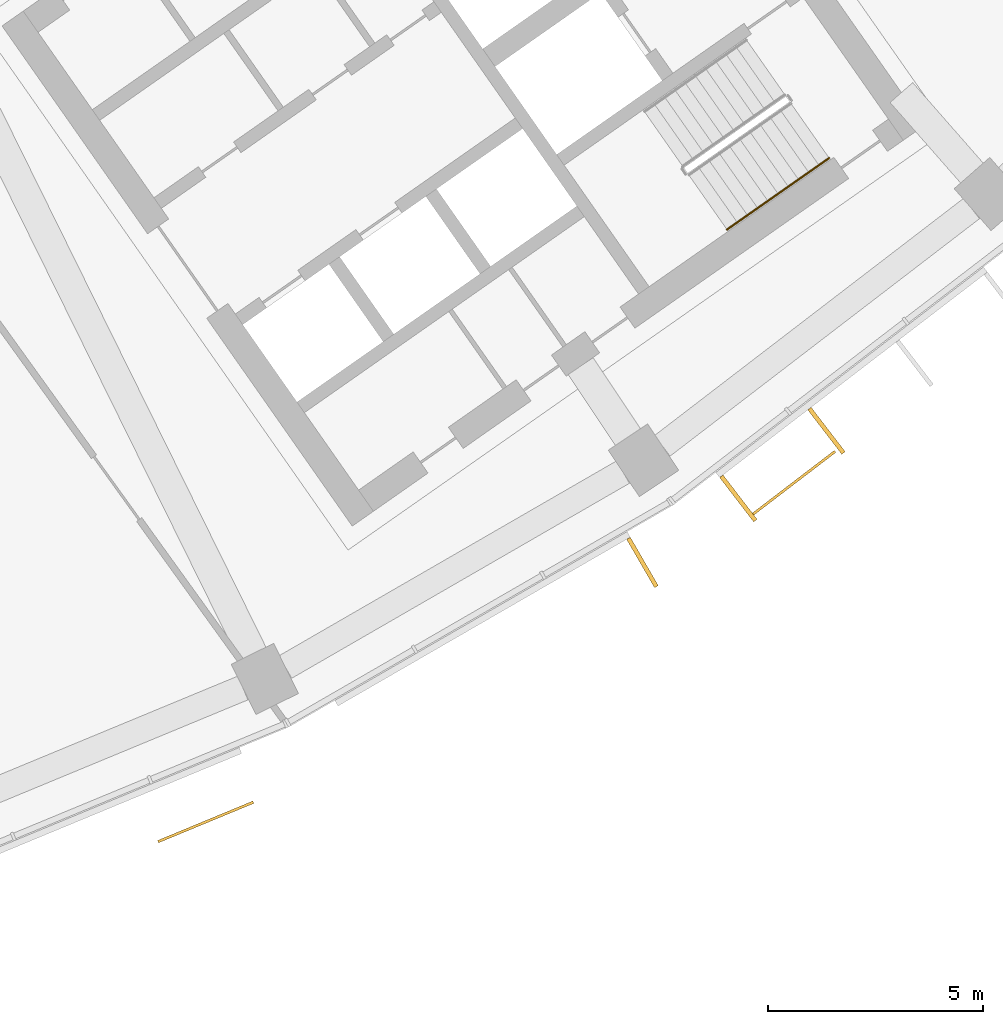
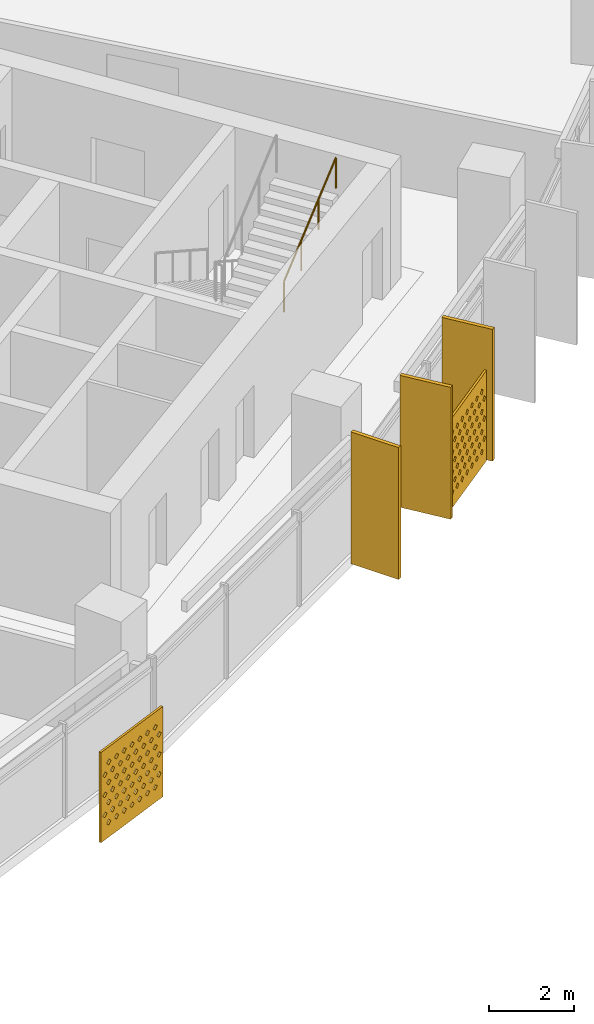
# One storey, part 25 of 27: 5 shading devices, 1 railing.
"""IFC4 building model written with IfcOpenShell, lengths in metres."""

from ifc_helpers import new_model, si_unit, direction, frame, origin, origin_2d, place, context, subcontext, project, spatial, polyline, rectangle, circle, outline, extrude, material, material_profile, profile_set, type_object, element, save


model = new_model("IFC4")

# Units and contexts
model_context = context("Model", 3, precision=1e-05, world=origin(), true_north=direction((0.0, 1.0)))
body_context = subcontext(model_context, "Body", "Model", "MODEL_VIEW")
ifc_project = project(units=[si_unit("LENGTHUNIT", "METRE"), si_unit("AREAUNIT", "SQUARE_METRE"), si_unit("VOLUMEUNIT", "CUBIC_METRE"), si_unit("PLANEANGLEUNIT", "RADIAN"), si_unit("MASSUNIT", "GRAM", prefix="KILO")], contexts=[model_context])

# Site, building, storey
site_placement = place(None, origin())
site = spatial("IfcSite", under=ifc_project, at=site_placement, CompositionType="ELEMENT")
building_placement = place(site_placement, origin())
building = spatial("IfcBuilding", under=site, at=building_placement, Name="Qamariyya Broadcast Tower", CompositionType="ELEMENT")
storey_placement = place(building_placement, frame((0.0, 0.0, 191.10009765625)))
storey = spatial("IfcBuildingStorey", under=building, at=storey_placement, Name="L45", CompositionType="ELEMENT", Elevation=191.10009765625)

# Shading devices
ifc_material_1 = material(Name="Perforated glazed terracotta", Category="masonry")
ifc_material_profile_1 = material_profile(ifc_material_1, outline(polyline([(-1.199951171875, -1.300048828125), (1.199951171875, -1.300048828125), (1.199951171875, 1.300048828125), (-1.199951171875, 1.300048828125), (-1.199951171875, -1.300048828125)]), holes=[polyline([(-0.81494140625, -0.86669921875), (-0.89990234375, -0.78173828125), (-0.985107421875, -0.86669921875), (-0.89990234375, -0.95166015625), (-0.81494140625, -0.86669921875)]), polyline([(-0.514892578125, -0.86669921875), (-0.60009765625, -0.78173828125), (-0.68505859375, -0.86669921875), (-0.60009765625, -0.95166015625), (-0.514892578125, -0.86669921875)]), polyline([(-0.215087890625, -0.86669921875), (-0.300048828125, -0.78173828125), (-0.385009765625, -0.86669921875), (-0.300048828125, -0.95166015625), (-0.215087890625, -0.86669921875)]), polyline([(0.0849609375, -0.86669921875), (0.0, -0.78173828125), (-0.0849609375, -0.86669921875), (0.0, -0.95166015625), (0.0849609375, -0.86669921875)]), polyline([(0.385009765625, -0.86669921875), (0.300048828125, -0.78173828125), (0.215087890625, -0.86669921875), (0.300048828125, -0.95166015625), (0.385009765625, -0.86669921875)]), polyline([(0.68505859375, -0.86669921875), (0.60009765625, -0.78173828125), (0.514892578125, -0.86669921875), (0.60009765625, -0.95166015625), (0.68505859375, -0.86669921875)]), polyline([(0.985107421875, -0.86669921875), (0.89990234375, -0.78173828125), (0.81494140625, -0.86669921875), (0.89990234375, -0.95166015625), (0.985107421875, -0.86669921875)]), polyline([(-0.965087890625, -0.577880859375), (-1.050048828125, -0.49267578125), (-1.135009765625, -0.577880859375), (-1.050048828125, -0.662841796875), (-0.965087890625, -0.577880859375)]), polyline([(-0.6650390625, -0.577880859375), (-0.75, -0.49267578125), (-0.8349609375, -0.577880859375), (-0.75, -0.662841796875), (-0.6650390625, -0.577880859375)]), polyline([(-0.364990234375, -0.577880859375), (-0.449951171875, -0.49267578125), (-0.534912109375, -0.577880859375), (-0.449951171875, -0.662841796875), (-0.364990234375, -0.577880859375)]), polyline([(-0.06494140625, -0.577880859375), (-0.14990234375, -0.49267578125), (-0.235107421875, -0.577880859375), (-0.14990234375, -0.662841796875), (-0.06494140625, -0.577880859375)]), polyline([(0.235107421875, -0.577880859375), (0.14990234375, -0.49267578125), (0.06494140625, -0.577880859375), (0.14990234375, -0.662841796875), (0.235107421875, -0.577880859375)]), polyline([(0.534912109375, -0.577880859375), (0.449951171875, -0.49267578125), (0.364990234375, -0.577880859375), (0.449951171875, -0.662841796875), (0.534912109375, -0.577880859375)]), polyline([(0.8349609375, -0.577880859375), (0.75, -0.49267578125), (0.6650390625, -0.577880859375), (0.75, -0.662841796875), (0.8349609375, -0.577880859375)]), polyline([(1.135009765625, -0.577880859375), (1.050048828125, -0.49267578125), (0.965087890625, -0.577880859375), (1.050048828125, -0.662841796875), (1.135009765625, -0.577880859375)]), polyline([(-0.81494140625, -0.288818359375), (-0.89990234375, -0.203857421875), (-0.985107421875, -0.288818359375), (-0.89990234375, -0.373779296875), (-0.81494140625, -0.288818359375)]), polyline([(-0.514892578125, -0.288818359375), (-0.60009765625, -0.203857421875), (-0.68505859375, -0.288818359375), (-0.60009765625, -0.373779296875), (-0.514892578125, -0.288818359375)]), polyline([(-0.215087890625, -0.288818359375), (-0.300048828125, -0.203857421875), (-0.385009765625, -0.288818359375), (-0.300048828125, -0.373779296875), (-0.215087890625, -0.288818359375)]), polyline([(0.0849609375, -0.288818359375), (0.0, -0.203857421875), (-0.0849609375, -0.288818359375), (0.0, -0.373779296875), (0.0849609375, -0.288818359375)]), polyline([(0.385009765625, -0.288818359375), (0.300048828125, -0.203857421875), (0.215087890625, -0.288818359375), (0.300048828125, -0.373779296875), (0.385009765625, -0.288818359375)]), polyline([(0.68505859375, -0.288818359375), (0.60009765625, -0.203857421875), (0.514892578125, -0.288818359375), (0.60009765625, -0.373779296875), (0.68505859375, -0.288818359375)]), polyline([(0.985107421875, -0.288818359375), (0.89990234375, -0.203857421875), (0.81494140625, -0.288818359375), (0.89990234375, -0.373779296875), (0.985107421875, -0.288818359375)]), polyline([(-0.965087890625, 0.0), (-1.050048828125, 0.0849609375), (-1.135009765625, 0.0), (-1.050048828125, -0.0849609375), (-0.965087890625, 0.0)]), polyline([(-0.6650390625, 0.0), (-0.75, 0.0849609375), (-0.8349609375, 0.0), (-0.75, -0.0849609375), (-0.6650390625, 0.0)]), polyline([(-0.364990234375, 0.0), (-0.449951171875, 0.0849609375), (-0.534912109375, 0.0), (-0.449951171875, -0.0849609375), (-0.364990234375, 0.0)]), polyline([(-0.06494140625, 0.0), (-0.14990234375, 0.0849609375), (-0.235107421875, 0.0), (-0.14990234375, -0.0849609375), (-0.06494140625, 0.0)]), polyline([(0.235107421875, 0.0), (0.14990234375, 0.0849609375), (0.06494140625, 0.0), (0.14990234375, -0.0849609375), (0.235107421875, 0.0)]), polyline([(0.534912109375, 0.0), (0.449951171875, 0.0849609375), (0.364990234375, 0.0), (0.449951171875, -0.0849609375), (0.534912109375, 0.0)]), polyline([(0.8349609375, 0.0), (0.75, 0.0849609375), (0.6650390625, 0.0), (0.75, -0.0849609375), (0.8349609375, 0.0)]), polyline([(1.135009765625, 0.0), (1.050048828125, 0.0849609375), (0.965087890625, 0.0), (1.050048828125, -0.0849609375), (1.135009765625, 0.0)]), polyline([(-0.81494140625, 0.288818359375), (-0.89990234375, 0.373779296875), (-0.985107421875, 0.288818359375), (-0.89990234375, 0.203857421875), (-0.81494140625, 0.288818359375)]), polyline([(-0.514892578125, 0.288818359375), (-0.60009765625, 0.373779296875), (-0.68505859375, 0.288818359375), (-0.60009765625, 0.203857421875), (-0.514892578125, 0.288818359375)]), polyline([(-0.215087890625, 0.288818359375), (-0.300048828125, 0.373779296875), (-0.385009765625, 0.288818359375), (-0.300048828125, 0.203857421875), (-0.215087890625, 0.288818359375)]), polyline([(0.0849609375, 0.288818359375), (0.0, 0.373779296875), (-0.0849609375, 0.288818359375), (0.0, 0.203857421875), (0.0849609375, 0.288818359375)]), polyline([(0.385009765625, 0.288818359375), (0.300048828125, 0.373779296875), (0.215087890625, 0.288818359375), (0.300048828125, 0.203857421875), (0.385009765625, 0.288818359375)]), polyline([(0.68505859375, 0.288818359375), (0.60009765625, 0.373779296875), (0.514892578125, 0.288818359375), (0.60009765625, 0.203857421875), (0.68505859375, 0.288818359375)]), polyline([(0.985107421875, 0.288818359375), (0.89990234375, 0.373779296875), (0.81494140625, 0.288818359375), (0.89990234375, 0.203857421875), (0.985107421875, 0.288818359375)]), polyline([(-0.965087890625, 0.577880859375), (-1.050048828125, 0.662841796875), (-1.135009765625, 0.577880859375), (-1.050048828125, 0.49267578125), (-0.965087890625, 0.577880859375)]), polyline([(-0.6650390625, 0.577880859375), (-0.75, 0.662841796875), (-0.8349609375, 0.577880859375), (-0.75, 0.49267578125), (-0.6650390625, 0.577880859375)]), polyline([(-0.364990234375, 0.577880859375), (-0.449951171875, 0.662841796875), (-0.534912109375, 0.577880859375), (-0.449951171875, 0.49267578125), (-0.364990234375, 0.577880859375)]), polyline([(-0.06494140625, 0.577880859375), (-0.14990234375, 0.662841796875), (-0.235107421875, 0.577880859375), (-0.14990234375, 0.49267578125), (-0.06494140625, 0.577880859375)]), polyline([(0.235107421875, 0.577880859375), (0.14990234375, 0.662841796875), (0.06494140625, 0.577880859375), (0.14990234375, 0.49267578125), (0.235107421875, 0.577880859375)]), polyline([(0.534912109375, 0.577880859375), (0.449951171875, 0.662841796875), (0.364990234375, 0.577880859375), (0.449951171875, 0.49267578125), (0.534912109375, 0.577880859375)]), polyline([(0.8349609375, 0.577880859375), (0.75, 0.662841796875), (0.6650390625, 0.577880859375), (0.75, 0.49267578125), (0.8349609375, 0.577880859375)]), polyline([(1.135009765625, 0.577880859375), (1.050048828125, 0.662841796875), (0.965087890625, 0.577880859375), (1.050048828125, 0.49267578125), (1.135009765625, 0.577880859375)]), polyline([(-0.81494140625, 0.86669921875), (-0.89990234375, 0.95166015625), (-0.985107421875, 0.86669921875), (-0.89990234375, 0.78173828125), (-0.81494140625, 0.86669921875)]), polyline([(-0.514892578125, 0.86669921875), (-0.60009765625, 0.95166015625), (-0.68505859375, 0.86669921875), (-0.60009765625, 0.78173828125), (-0.514892578125, 0.86669921875)]), polyline([(-0.215087890625, 0.86669921875), (-0.300048828125, 0.95166015625), (-0.385009765625, 0.86669921875), (-0.300048828125, 0.78173828125), (-0.215087890625, 0.86669921875)]), polyline([(0.0849609375, 0.86669921875), (0.0, 0.95166015625), (-0.0849609375, 0.86669921875), (0.0, 0.78173828125), (0.0849609375, 0.86669921875)]), polyline([(0.385009765625, 0.86669921875), (0.300048828125, 0.95166015625), (0.215087890625, 0.86669921875), (0.300048828125, 0.78173828125), (0.385009765625, 0.86669921875)]), polyline([(0.68505859375, 0.86669921875), (0.60009765625, 0.95166015625), (0.514892578125, 0.86669921875), (0.60009765625, 0.78173828125), (0.68505859375, 0.86669921875)]), polyline([(0.985107421875, 0.86669921875), (0.89990234375, 0.95166015625), (0.81494140625, 0.86669921875), (0.89990234375, 0.78173828125), (0.985107421875, 0.86669921875)])]))
ifc_profile_set_1 = profile_set([ifc_material_profile_1], Name="Perforated glazed terracotta")
shading_device_type_1 = type_object("IfcShadingDeviceType", Name="Perforated terracotta screen 2400 x 2600", PredefinedType="USERDEFINED", material=ifc_profile_set_1)
shading_device_1_placement = place(storey_placement, frame((33.00146484375, -73.03076171875, 1.349853515625), z_axis=(0.382591441855, -0.923917630863, 0.0), x_axis=(0.923917630863, 0.382591441855, 0.0)))
element("IfcShadingDevice", 1, at=shading_device_1_placement, inside=storey, type_object=shading_device_type_1, Name="e-scr-L45-10-2", ObjectType="SCREEN", PredefinedType="USERDEFINED", context=body_context, shape_type="SweptSolid", body=[
    extrude(outline(polyline([(-1.199951171875, -1.300048828125), (1.199951171875, -1.300048828125), (1.199951171875, 1.300048828125), (-1.199951171875, 1.300048828125), (-1.199951171875, -1.300048828125)]), holes=[polyline([(-0.81494140625, -0.86669921875), (-0.89990234375, -0.78173828125), (-0.985107421875, -0.86669921875), (-0.89990234375, -0.95166015625), (-0.81494140625, -0.86669921875)]), polyline([(-0.514892578125, -0.86669921875), (-0.60009765625, -0.78173828125), (-0.68505859375, -0.86669921875), (-0.60009765625, -0.95166015625), (-0.514892578125, -0.86669921875)]), polyline([(-0.215087890625, -0.86669921875), (-0.300048828125, -0.78173828125), (-0.385009765625, -0.86669921875), (-0.300048828125, -0.95166015625), (-0.215087890625, -0.86669921875)]), polyline([(0.0849609375, -0.86669921875), (0.0, -0.78173828125), (-0.0849609375, -0.86669921875), (0.0, -0.95166015625), (0.0849609375, -0.86669921875)]), polyline([(0.385009765625, -0.86669921875), (0.300048828125, -0.78173828125), (0.215087890625, -0.86669921875), (0.300048828125, -0.95166015625), (0.385009765625, -0.86669921875)]), polyline([(0.68505859375, -0.86669921875), (0.60009765625, -0.78173828125), (0.514892578125, -0.86669921875), (0.60009765625, -0.95166015625), (0.68505859375, -0.86669921875)]), polyline([(0.985107421875, -0.86669921875), (0.89990234375, -0.78173828125), (0.81494140625, -0.86669921875), (0.89990234375, -0.95166015625), (0.985107421875, -0.86669921875)]), polyline([(-0.965087890625, -0.577880859375), (-1.050048828125, -0.49267578125), (-1.135009765625, -0.577880859375), (-1.050048828125, -0.662841796875), (-0.965087890625, -0.577880859375)]), polyline([(-0.6650390625, -0.577880859375), (-0.75, -0.49267578125), (-0.8349609375, -0.577880859375), (-0.75, -0.662841796875), (-0.6650390625, -0.577880859375)]), polyline([(-0.364990234375, -0.577880859375), (-0.449951171875, -0.49267578125), (-0.534912109375, -0.577880859375), (-0.449951171875, -0.662841796875), (-0.364990234375, -0.577880859375)]), polyline([(-0.06494140625, -0.577880859375), (-0.14990234375, -0.49267578125), (-0.235107421875, -0.577880859375), (-0.14990234375, -0.662841796875), (-0.06494140625, -0.577880859375)]), polyline([(0.235107421875, -0.577880859375), (0.14990234375, -0.49267578125), (0.06494140625, -0.577880859375), (0.14990234375, -0.662841796875), (0.235107421875, -0.577880859375)]), polyline([(0.534912109375, -0.577880859375), (0.449951171875, -0.49267578125), (0.364990234375, -0.577880859375), (0.449951171875, -0.662841796875), (0.534912109375, -0.577880859375)]), polyline([(0.8349609375, -0.577880859375), (0.75, -0.49267578125), (0.6650390625, -0.577880859375), (0.75, -0.662841796875), (0.8349609375, -0.577880859375)]), polyline([(1.135009765625, -0.577880859375), (1.050048828125, -0.49267578125), (0.965087890625, -0.577880859375), (1.050048828125, -0.662841796875), (1.135009765625, -0.577880859375)]), polyline([(-0.81494140625, -0.288818359375), (-0.89990234375, -0.203857421875), (-0.985107421875, -0.288818359375), (-0.89990234375, -0.373779296875), (-0.81494140625, -0.288818359375)]), polyline([(-0.514892578125, -0.288818359375), (-0.60009765625, -0.203857421875), (-0.68505859375, -0.288818359375), (-0.60009765625, -0.373779296875), (-0.514892578125, -0.288818359375)]), polyline([(-0.215087890625, -0.288818359375), (-0.300048828125, -0.203857421875), (-0.385009765625, -0.288818359375), (-0.300048828125, -0.373779296875), (-0.215087890625, -0.288818359375)]), polyline([(0.0849609375, -0.288818359375), (0.0, -0.203857421875), (-0.0849609375, -0.288818359375), (0.0, -0.373779296875), (0.0849609375, -0.288818359375)]), polyline([(0.385009765625, -0.288818359375), (0.300048828125, -0.203857421875), (0.215087890625, -0.288818359375), (0.300048828125, -0.373779296875), (0.385009765625, -0.288818359375)]), polyline([(0.68505859375, -0.288818359375), (0.60009765625, -0.203857421875), (0.514892578125, -0.288818359375), (0.60009765625, -0.373779296875), (0.68505859375, -0.288818359375)]), polyline([(0.985107421875, -0.288818359375), (0.89990234375, -0.203857421875), (0.81494140625, -0.288818359375), (0.89990234375, -0.373779296875), (0.985107421875, -0.288818359375)]), polyline([(-0.965087890625, 0.0), (-1.050048828125, 0.0849609375), (-1.135009765625, 0.0), (-1.050048828125, -0.0849609375), (-0.965087890625, 0.0)]), polyline([(-0.6650390625, 0.0), (-0.75, 0.0849609375), (-0.8349609375, 0.0), (-0.75, -0.0849609375), (-0.6650390625, 0.0)]), polyline([(-0.364990234375, 0.0), (-0.449951171875, 0.0849609375), (-0.534912109375, 0.0), (-0.449951171875, -0.0849609375), (-0.364990234375, 0.0)]), polyline([(-0.06494140625, 0.0), (-0.14990234375, 0.0849609375), (-0.235107421875, 0.0), (-0.14990234375, -0.0849609375), (-0.06494140625, 0.0)]), polyline([(0.235107421875, 0.0), (0.14990234375, 0.0849609375), (0.06494140625, 0.0), (0.14990234375, -0.0849609375), (0.235107421875, 0.0)]), polyline([(0.534912109375, 0.0), (0.449951171875, 0.0849609375), (0.364990234375, 0.0), (0.449951171875, -0.0849609375), (0.534912109375, 0.0)]), polyline([(0.8349609375, 0.0), (0.75, 0.0849609375), (0.6650390625, 0.0), (0.75, -0.0849609375), (0.8349609375, 0.0)]), polyline([(1.135009765625, 0.0), (1.050048828125, 0.0849609375), (0.965087890625, 0.0), (1.050048828125, -0.0849609375), (1.135009765625, 0.0)]), polyline([(-0.81494140625, 0.288818359375), (-0.89990234375, 0.373779296875), (-0.985107421875, 0.288818359375), (-0.89990234375, 0.203857421875), (-0.81494140625, 0.288818359375)]), polyline([(-0.514892578125, 0.288818359375), (-0.60009765625, 0.373779296875), (-0.68505859375, 0.288818359375), (-0.60009765625, 0.203857421875), (-0.514892578125, 0.288818359375)]), polyline([(-0.215087890625, 0.288818359375), (-0.300048828125, 0.373779296875), (-0.385009765625, 0.288818359375), (-0.300048828125, 0.203857421875), (-0.215087890625, 0.288818359375)]), polyline([(0.0849609375, 0.288818359375), (0.0, 0.373779296875), (-0.0849609375, 0.288818359375), (0.0, 0.203857421875), (0.0849609375, 0.288818359375)]), polyline([(0.385009765625, 0.288818359375), (0.300048828125, 0.373779296875), (0.215087890625, 0.288818359375), (0.300048828125, 0.203857421875), (0.385009765625, 0.288818359375)]), polyline([(0.68505859375, 0.288818359375), (0.60009765625, 0.373779296875), (0.514892578125, 0.288818359375), (0.60009765625, 0.203857421875), (0.68505859375, 0.288818359375)]), polyline([(0.985107421875, 0.288818359375), (0.89990234375, 0.373779296875), (0.81494140625, 0.288818359375), (0.89990234375, 0.203857421875), (0.985107421875, 0.288818359375)]), polyline([(-0.965087890625, 0.577880859375), (-1.050048828125, 0.662841796875), (-1.135009765625, 0.577880859375), (-1.050048828125, 0.49267578125), (-0.965087890625, 0.577880859375)]), polyline([(-0.6650390625, 0.577880859375), (-0.75, 0.662841796875), (-0.8349609375, 0.577880859375), (-0.75, 0.49267578125), (-0.6650390625, 0.577880859375)]), polyline([(-0.364990234375, 0.577880859375), (-0.449951171875, 0.662841796875), (-0.534912109375, 0.577880859375), (-0.449951171875, 0.49267578125), (-0.364990234375, 0.577880859375)]), polyline([(-0.06494140625, 0.577880859375), (-0.14990234375, 0.662841796875), (-0.235107421875, 0.577880859375), (-0.14990234375, 0.49267578125), (-0.06494140625, 0.577880859375)]), polyline([(0.235107421875, 0.577880859375), (0.14990234375, 0.662841796875), (0.06494140625, 0.577880859375), (0.14990234375, 0.49267578125), (0.235107421875, 0.577880859375)]), polyline([(0.534912109375, 0.577880859375), (0.449951171875, 0.662841796875), (0.364990234375, 0.577880859375), (0.449951171875, 0.49267578125), (0.534912109375, 0.577880859375)]), polyline([(0.8349609375, 0.577880859375), (0.75, 0.662841796875), (0.6650390625, 0.577880859375), (0.75, 0.49267578125), (0.8349609375, 0.577880859375)]), polyline([(1.135009765625, 0.577880859375), (1.050048828125, 0.662841796875), (0.965087890625, 0.577880859375), (1.050048828125, 0.49267578125), (1.135009765625, 0.577880859375)]), polyline([(-0.81494140625, 0.86669921875), (-0.89990234375, 0.95166015625), (-0.985107421875, 0.86669921875), (-0.89990234375, 0.78173828125), (-0.81494140625, 0.86669921875)]), polyline([(-0.514892578125, 0.86669921875), (-0.60009765625, 0.95166015625), (-0.68505859375, 0.86669921875), (-0.60009765625, 0.78173828125), (-0.514892578125, 0.86669921875)]), polyline([(-0.215087890625, 0.86669921875), (-0.300048828125, 0.95166015625), (-0.385009765625, 0.86669921875), (-0.300048828125, 0.78173828125), (-0.215087890625, 0.86669921875)]), polyline([(0.0849609375, 0.86669921875), (0.0, 0.95166015625), (-0.0849609375, 0.86669921875), (0.0, 0.78173828125), (0.0849609375, 0.86669921875)]), polyline([(0.385009765625, 0.86669921875), (0.300048828125, 0.95166015625), (0.215087890625, 0.86669921875), (0.300048828125, 0.78173828125), (0.385009765625, 0.86669921875)]), polyline([(0.68505859375, 0.86669921875), (0.60009765625, 0.95166015625), (0.514892578125, 0.86669921875), (0.60009765625, 0.78173828125), (0.68505859375, 0.86669921875)]), polyline([(0.985107421875, 0.86669921875), (0.89990234375, 0.95166015625), (0.81494140625, 0.86669921875), (0.89990234375, 0.78173828125), (0.985107421875, 0.86669921875)])]), origin(), (0.0, 0.0, 1.0), 0.06005859375),
])
shading_device_2_placement = place(storey_placement, frame((46.6796875, -65.146240234375, 1.349853515625), z_axis=(0.607147566278, -0.794589096806, 0.0), x_axis=(0.794589096806, 0.607147566278, 0.0)))
element("IfcShadingDevice", 2, at=shading_device_2_placement, inside=storey, type_object=shading_device_type_1, Name="e-scr-L45-12-0", ObjectType="SCREEN", PredefinedType="USERDEFINED", context=body_context, shape_type="SweptSolid", body=[
    extrude(outline(polyline([(-1.199951171875, -1.300048828125), (1.199951171875, -1.300048828125), (1.199951171875, 1.300048828125), (-1.199951171875, 1.300048828125), (-1.199951171875, -1.300048828125)]), holes=[polyline([(-0.81494140625, -0.86669921875), (-0.89990234375, -0.78173828125), (-0.985107421875, -0.86669921875), (-0.89990234375, -0.95166015625), (-0.81494140625, -0.86669921875)]), polyline([(-0.514892578125, -0.86669921875), (-0.60009765625, -0.78173828125), (-0.68505859375, -0.86669921875), (-0.60009765625, -0.95166015625), (-0.514892578125, -0.86669921875)]), polyline([(-0.215087890625, -0.86669921875), (-0.300048828125, -0.78173828125), (-0.385009765625, -0.86669921875), (-0.300048828125, -0.95166015625), (-0.215087890625, -0.86669921875)]), polyline([(0.0849609375, -0.86669921875), (0.0, -0.78173828125), (-0.0849609375, -0.86669921875), (0.0, -0.95166015625), (0.0849609375, -0.86669921875)]), polyline([(0.385009765625, -0.86669921875), (0.300048828125, -0.78173828125), (0.215087890625, -0.86669921875), (0.300048828125, -0.95166015625), (0.385009765625, -0.86669921875)]), polyline([(0.68505859375, -0.86669921875), (0.60009765625, -0.78173828125), (0.514892578125, -0.86669921875), (0.60009765625, -0.95166015625), (0.68505859375, -0.86669921875)]), polyline([(0.985107421875, -0.86669921875), (0.89990234375, -0.78173828125), (0.81494140625, -0.86669921875), (0.89990234375, -0.95166015625), (0.985107421875, -0.86669921875)]), polyline([(-0.965087890625, -0.577880859375), (-1.050048828125, -0.49267578125), (-1.135009765625, -0.577880859375), (-1.050048828125, -0.662841796875), (-0.965087890625, -0.577880859375)]), polyline([(-0.6650390625, -0.577880859375), (-0.75, -0.49267578125), (-0.8349609375, -0.577880859375), (-0.75, -0.662841796875), (-0.6650390625, -0.577880859375)]), polyline([(-0.364990234375, -0.577880859375), (-0.449951171875, -0.49267578125), (-0.534912109375, -0.577880859375), (-0.449951171875, -0.662841796875), (-0.364990234375, -0.577880859375)]), polyline([(-0.06494140625, -0.577880859375), (-0.14990234375, -0.49267578125), (-0.235107421875, -0.577880859375), (-0.14990234375, -0.662841796875), (-0.06494140625, -0.577880859375)]), polyline([(0.235107421875, -0.577880859375), (0.14990234375, -0.49267578125), (0.06494140625, -0.577880859375), (0.14990234375, -0.662841796875), (0.235107421875, -0.577880859375)]), polyline([(0.534912109375, -0.577880859375), (0.449951171875, -0.49267578125), (0.364990234375, -0.577880859375), (0.449951171875, -0.662841796875), (0.534912109375, -0.577880859375)]), polyline([(0.8349609375, -0.577880859375), (0.75, -0.49267578125), (0.6650390625, -0.577880859375), (0.75, -0.662841796875), (0.8349609375, -0.577880859375)]), polyline([(1.135009765625, -0.577880859375), (1.050048828125, -0.49267578125), (0.965087890625, -0.577880859375), (1.050048828125, -0.662841796875), (1.135009765625, -0.577880859375)]), polyline([(-0.81494140625, -0.288818359375), (-0.89990234375, -0.203857421875), (-0.985107421875, -0.288818359375), (-0.89990234375, -0.373779296875), (-0.81494140625, -0.288818359375)]), polyline([(-0.514892578125, -0.288818359375), (-0.60009765625, -0.203857421875), (-0.68505859375, -0.288818359375), (-0.60009765625, -0.373779296875), (-0.514892578125, -0.288818359375)]), polyline([(-0.215087890625, -0.288818359375), (-0.300048828125, -0.203857421875), (-0.385009765625, -0.288818359375), (-0.300048828125, -0.373779296875), (-0.215087890625, -0.288818359375)]), polyline([(0.0849609375, -0.288818359375), (0.0, -0.203857421875), (-0.0849609375, -0.288818359375), (0.0, -0.373779296875), (0.0849609375, -0.288818359375)]), polyline([(0.385009765625, -0.288818359375), (0.300048828125, -0.203857421875), (0.215087890625, -0.288818359375), (0.300048828125, -0.373779296875), (0.385009765625, -0.288818359375)]), polyline([(0.68505859375, -0.288818359375), (0.60009765625, -0.203857421875), (0.514892578125, -0.288818359375), (0.60009765625, -0.373779296875), (0.68505859375, -0.288818359375)]), polyline([(0.985107421875, -0.288818359375), (0.89990234375, -0.203857421875), (0.81494140625, -0.288818359375), (0.89990234375, -0.373779296875), (0.985107421875, -0.288818359375)]), polyline([(-0.965087890625, 0.0), (-1.050048828125, 0.0849609375), (-1.135009765625, 0.0), (-1.050048828125, -0.0849609375), (-0.965087890625, 0.0)]), polyline([(-0.6650390625, 0.0), (-0.75, 0.0849609375), (-0.8349609375, 0.0), (-0.75, -0.0849609375), (-0.6650390625, 0.0)]), polyline([(-0.364990234375, 0.0), (-0.449951171875, 0.0849609375), (-0.534912109375, 0.0), (-0.449951171875, -0.0849609375), (-0.364990234375, 0.0)]), polyline([(-0.06494140625, 0.0), (-0.14990234375, 0.0849609375), (-0.235107421875, 0.0), (-0.14990234375, -0.0849609375), (-0.06494140625, 0.0)]), polyline([(0.235107421875, 0.0), (0.14990234375, 0.0849609375), (0.06494140625, 0.0), (0.14990234375, -0.0849609375), (0.235107421875, 0.0)]), polyline([(0.534912109375, 0.0), (0.449951171875, 0.0849609375), (0.364990234375, 0.0), (0.449951171875, -0.0849609375), (0.534912109375, 0.0)]), polyline([(0.8349609375, 0.0), (0.75, 0.0849609375), (0.6650390625, 0.0), (0.75, -0.0849609375), (0.8349609375, 0.0)]), polyline([(1.135009765625, 0.0), (1.050048828125, 0.0849609375), (0.965087890625, 0.0), (1.050048828125, -0.0849609375), (1.135009765625, 0.0)]), polyline([(-0.81494140625, 0.288818359375), (-0.89990234375, 0.373779296875), (-0.985107421875, 0.288818359375), (-0.89990234375, 0.203857421875), (-0.81494140625, 0.288818359375)]), polyline([(-0.514892578125, 0.288818359375), (-0.60009765625, 0.373779296875), (-0.68505859375, 0.288818359375), (-0.60009765625, 0.203857421875), (-0.514892578125, 0.288818359375)]), polyline([(-0.215087890625, 0.288818359375), (-0.300048828125, 0.373779296875), (-0.385009765625, 0.288818359375), (-0.300048828125, 0.203857421875), (-0.215087890625, 0.288818359375)]), polyline([(0.0849609375, 0.288818359375), (0.0, 0.373779296875), (-0.0849609375, 0.288818359375), (0.0, 0.203857421875), (0.0849609375, 0.288818359375)]), polyline([(0.385009765625, 0.288818359375), (0.300048828125, 0.373779296875), (0.215087890625, 0.288818359375), (0.300048828125, 0.203857421875), (0.385009765625, 0.288818359375)]), polyline([(0.68505859375, 0.288818359375), (0.60009765625, 0.373779296875), (0.514892578125, 0.288818359375), (0.60009765625, 0.203857421875), (0.68505859375, 0.288818359375)]), polyline([(0.985107421875, 0.288818359375), (0.89990234375, 0.373779296875), (0.81494140625, 0.288818359375), (0.89990234375, 0.203857421875), (0.985107421875, 0.288818359375)]), polyline([(-0.965087890625, 0.577880859375), (-1.050048828125, 0.662841796875), (-1.135009765625, 0.577880859375), (-1.050048828125, 0.49267578125), (-0.965087890625, 0.577880859375)]), polyline([(-0.6650390625, 0.577880859375), (-0.75, 0.662841796875), (-0.8349609375, 0.577880859375), (-0.75, 0.49267578125), (-0.6650390625, 0.577880859375)]), polyline([(-0.364990234375, 0.577880859375), (-0.449951171875, 0.662841796875), (-0.534912109375, 0.577880859375), (-0.449951171875, 0.49267578125), (-0.364990234375, 0.577880859375)]), polyline([(-0.06494140625, 0.577880859375), (-0.14990234375, 0.662841796875), (-0.235107421875, 0.577880859375), (-0.14990234375, 0.49267578125), (-0.06494140625, 0.577880859375)]), polyline([(0.235107421875, 0.577880859375), (0.14990234375, 0.662841796875), (0.06494140625, 0.577880859375), (0.14990234375, 0.49267578125), (0.235107421875, 0.577880859375)]), polyline([(0.534912109375, 0.577880859375), (0.449951171875, 0.662841796875), (0.364990234375, 0.577880859375), (0.449951171875, 0.49267578125), (0.534912109375, 0.577880859375)]), polyline([(0.8349609375, 0.577880859375), (0.75, 0.662841796875), (0.6650390625, 0.577880859375), (0.75, 0.49267578125), (0.8349609375, 0.577880859375)]), polyline([(1.135009765625, 0.577880859375), (1.050048828125, 0.662841796875), (0.965087890625, 0.577880859375), (1.050048828125, 0.49267578125), (1.135009765625, 0.577880859375)]), polyline([(-0.81494140625, 0.86669921875), (-0.89990234375, 0.95166015625), (-0.985107421875, 0.86669921875), (-0.89990234375, 0.78173828125), (-0.81494140625, 0.86669921875)]), polyline([(-0.514892578125, 0.86669921875), (-0.60009765625, 0.95166015625), (-0.68505859375, 0.86669921875), (-0.60009765625, 0.78173828125), (-0.514892578125, 0.86669921875)]), polyline([(-0.215087890625, 0.86669921875), (-0.300048828125, 0.95166015625), (-0.385009765625, 0.86669921875), (-0.300048828125, 0.78173828125), (-0.215087890625, 0.86669921875)]), polyline([(0.0849609375, 0.86669921875), (0.0, 0.95166015625), (-0.0849609375, 0.86669921875), (0.0, 0.78173828125), (0.0849609375, 0.86669921875)]), polyline([(0.385009765625, 0.86669921875), (0.300048828125, 0.95166015625), (0.215087890625, 0.86669921875), (0.300048828125, 0.78173828125), (0.385009765625, 0.86669921875)]), polyline([(0.68505859375, 0.86669921875), (0.60009765625, 0.95166015625), (0.514892578125, 0.86669921875), (0.60009765625, 0.78173828125), (0.68505859375, 0.86669921875)]), polyline([(0.985107421875, 0.86669921875), (0.89990234375, 0.95166015625), (0.81494140625, 0.86669921875), (0.89990234375, 0.78173828125), (0.985107421875, 0.86669921875)])]), origin(), (0.0, 0.0, 1.0), 0.059814453125),
])

# Railing
ifc_material_2 = material(Name="Stainless steel", Category="steel")
railing_type = type_object("IfcRailingType", Name="Stair handrail", PredefinedType="HANDRAIL", material=ifc_material_2)
railing_placement = place(storey_placement, frame((45.137939453125, -59.28076171875, 2.072509765625)))
element("IfcRailing", 3, at=railing_placement, inside=storey, type_object=railing_type, Name="L45 ST-E1 stair handrail 2", PredefinedType="HANDRAIL", context=body_context, shape_type="SweptSolid", body=[
    extrude(circle(Radius=0.02392578125, at=origin_2d()), frame((0.0, 0.0, 0.8759765625), z_axis=(0.703770094002, 0.492783725636, 0.511734163933), x_axis=(-0.573575343427, 0.819152809562, 0.0)), (0.0, 0.0, 1.0), 3.37548828125),
    extrude(circle(Radius=0.02099609375, at=origin_2d()), origin(), (0.0, 0.0, 1.0), 0.851806640625),
    extrude(circle(Radius=0.02099609375, at=origin_2d()), frame((0.791748046875, 0.554443359375, 0.57568359375)), (0.0, 0.0, 1.0), 0.851806640625),
    extrude(circle(Radius=0.02099609375, at=origin_2d()), frame((1.583740234375, 1.10888671875, 1.151611328125)), (0.0, 0.0, 1.0), 0.851806640625),
    extrude(circle(Radius=0.02099609375, at=origin_2d()), frame((2.37548828125, 1.663330078125, 1.727294921875)), (0.0, 0.0, 1.0), 0.851806640625),
])

# Shading devices
ifc_material_3 = material(Name="Glazed terracotta", Category="masonry")
ifc_material_profile_2 = material_profile(ifc_material_3, rectangle(XDim=1.300048828125, YDim=0.10009765625, at=origin_2d()))
ifc_profile_set_2 = profile_set([ifc_material_profile_2], Name="Glazed terracotta")
shading_device_type_2 = type_object("IfcShadingDeviceType", Name="Terracotta fin 100 x 1300", PredefinedType="USERDEFINED", material=ifc_profile_set_2)
for number, where, z_axis, x_axis, name in (
    (4, (43.17138671875, -67.024658203125, 0.0), (0.0, 0.0, 1.0), (0.5, -0.866025403784, 0.0), "e-fin-L45-11-3"),
    (5, (45.40185546875, -65.534423828125, 0.0), (0.0, 0.0, 1.0), (0.608761429009, -0.793353340291, 0.0), "e-fin-L45-12-0"),
    (6, (47.451416015625, -63.961669921875, 0.0), (0.0, 0.0, 1.0), (0.608761429009, -0.793353340291, 0.0), "e-fin-L45-12-1"),
):
    element("IfcShadingDevice", number, at=place(storey_placement, frame(where, z_axis=z_axis, x_axis=x_axis)), inside=storey, type_object=shading_device_type_2, Name=name, ObjectType="FIN", PredefinedType="USERDEFINED", context=body_context, shape_type="SweptSolid", body=[
        extrude(rectangle(XDim=1.300048828125, YDim=0.10009765625, at=origin_2d()), origin(), (0.0, 0.0, 1.0), 3.7998046875),
    ])

save(model, "model.ifc")
